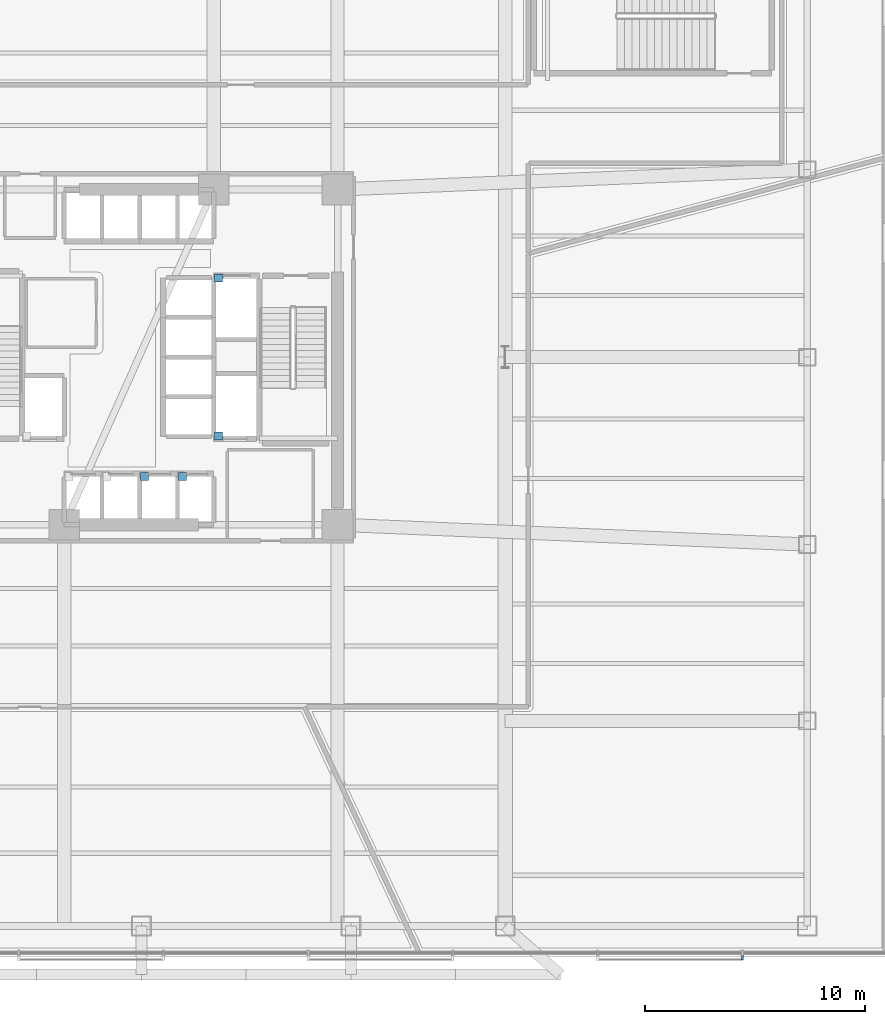
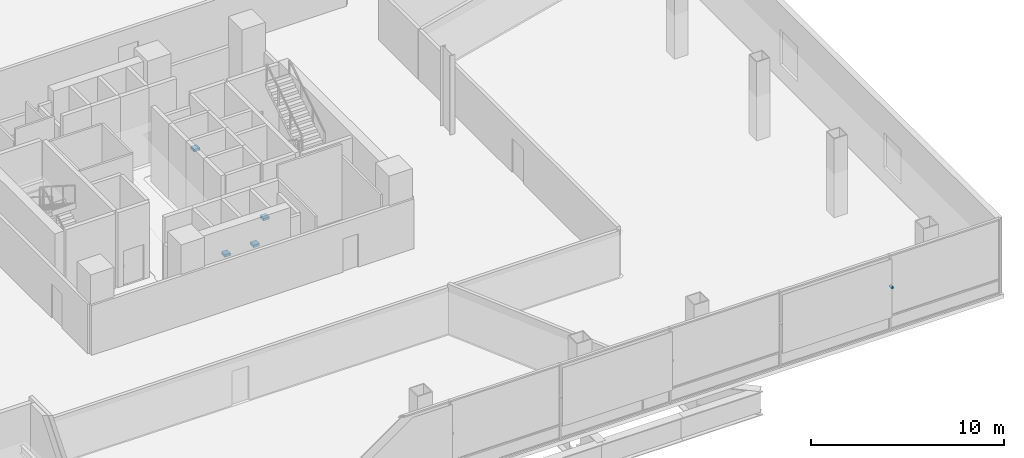
# One storey, part 15 of 20: 5 discrete accessories.
"""IFC4 building model written with IfcOpenShell, lengths in metres."""

from ifc_helpers import new_model, si_unit, direction, frame, origin, origin_2d, place, context, subcontext, project, spatial, rectangle, extrude, material, type_object, element, save


model = new_model("IFC4")

# Units and contexts
model_context = context("Model", 3, precision=1e-05, world=origin(), true_north=direction((0.0, 1.0)))
body_context = subcontext(model_context, "Body", "Model", "MODEL_VIEW")
ifc_project = project(units=[si_unit("LENGTHUNIT", "METRE"), si_unit("AREAUNIT", "SQUARE_METRE"), si_unit("VOLUMEUNIT", "CUBIC_METRE"), si_unit("PLANEANGLEUNIT", "RADIAN"), si_unit("MASSUNIT", "GRAM", prefix="KILO")], contexts=[model_context])

# Site, building, storey
site_placement = place(None, origin())
site = spatial("IfcSite", under=ifc_project, at=site_placement, CompositionType="ELEMENT")
building_placement = place(site_placement, origin())
building = spatial("IfcBuilding", under=site, at=building_placement, Name="Tharavind Bronze Gate", CompositionType="ELEMENT")
storey_placement = place(building_placement, frame((0.0, 0.0, 16.5)))
storey = spatial("IfcBuildingStorey", under=building, at=storey_placement, Name="L03", CompositionType="ELEMENT", Elevation=16.5)

# Discrete accessories
ifc_material_1 = material(Name="Galvanised Steel S355", Category="steel")
discrete_accessory_type_1 = type_object("IfcDiscreteAccessoryType", Name="LIFT GUIDE RAIL BRACKET", PredefinedType="BRACKET", material=ifc_material_1)
for number, where, z_axis, x_axis, name in (
    (1, (0.14501953125, -5.419921875, 1.1201171875), (0.0, 0.0, 1.0), (1.0, 0.0, 0.0), "Lift PL3 guide rail bracket at L03"),
    (2, (1.857421875, -5.419921875, 1.1201171875), (0.0, 0.0, 1.0), (1.0, 0.0, 0.0), "Lift PL4 guide rail bracket at L03"),
    (3, (3.5, 3.580078125, 1.1201171875), (0.0, 0.0, 1.0), (1.0, 0.0, 0.0), "Lift FFL2 guide rail bracket at L03"),
    (4, (3.5, -3.580078125, 1.1201171875), (0.0, 0.0, 1.0), (1.0, 0.0, 0.0), "Lift SVL1 guide rail bracket at L03"),
):
    element("IfcDiscreteAccessory", number, at=place(storey_placement, frame(where, z_axis=z_axis, x_axis=x_axis)), inside=storey, type_object=discrete_accessory_type_1, Name=name, PredefinedType="BRACKET", context=body_context, shape_type="SweptSolid", body=[
        extrude(rectangle(XDim=0.360107421875, YDim=0.360107421875, at=origin_2d()), origin(), (0.0, 0.0, 1.0), 0.159912109375),
    ])
ifc_material_2 = material(Name="Stainless Steel 316", Category="steel")
discrete_accessory_type_2 = type_object("IfcDiscreteAccessoryType", Name="SOLAR SCREEN STANDOFF BRACKET", PredefinedType="BRACKET", material=ifc_material_2)
discrete_accessory_placement = place(storey_placement, frame((27.256103515625, -27.219970703125, 2.760009765625), z_axis=(0.0, 0.0, 1.0), x_axis=(1.0, 0.0, 0.0)))
element("IfcDiscreteAccessory", 5, at=discrete_accessory_placement, inside=storey, type_object=discrete_accessory_type_2, Name="CW-L03-S1 solar screen bracket 9.2", PredefinedType="BRACKET", context=body_context, shape_type="SweptSolid", body=[
    extrude(rectangle(XDim=0.1201171875, YDim=0.239990234375, at=origin_2d()), origin(), (0.0, 0.0, 1.0), 0.1201171875),
])

save(model, "model.ifc")
